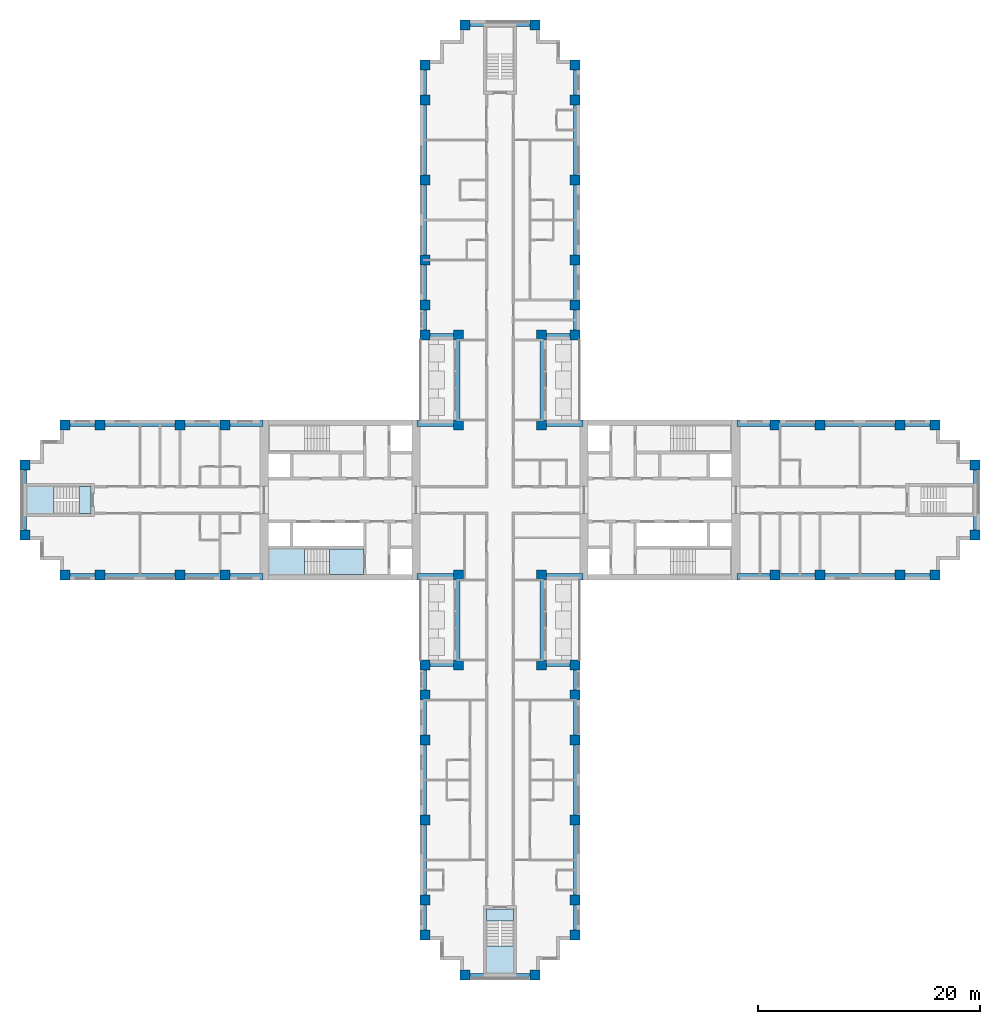
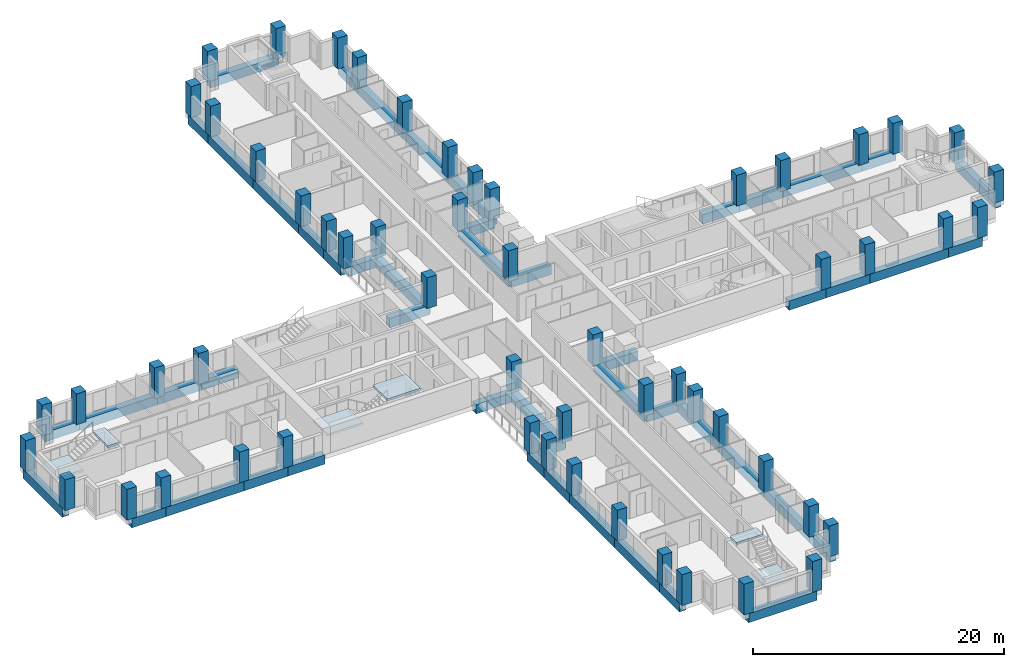
# One storey, part 1 of 15: 56 columns, 52 beams, 6 slabs, 3 elements without a shape of their own.
"""IFC4 building model written with IfcOpenShell, lengths in metres."""

from ifc_helpers import new_model, si_unit, direction, frame, origin, origin_2d, place, context, subcontext, project, spatial, polyline, rectangle, outline, extrude, material, layer, layer_set, material_profile, profile_set, type_object, element, aggregate, save


model = new_model("IFC4")

# Units and contexts
model_context = context("Model", 3, precision=1e-05, world=origin(), true_north=direction((0.0, 1.0)))
body_context = subcontext(model_context, "Body", "Model", "MODEL_VIEW")
ifc_project = project(units=[si_unit("LENGTHUNIT", "METRE"), si_unit("AREAUNIT", "SQUARE_METRE"), si_unit("VOLUMEUNIT", "CUBIC_METRE"), si_unit("PLANEANGLEUNIT", "RADIAN"), si_unit("MASSUNIT", "GRAM", prefix="KILO")], contexts=[model_context])

# Site, building, storey
site_placement = place(None, origin())
site = spatial("IfcSite", under=ifc_project, at=site_placement, CompositionType="ELEMENT")
building_placement = place(site_placement, origin())
building = spatial("IfcBuilding", under=site, at=building_placement, Name="Fustian Cross Tower", CompositionType="ELEMENT")
storey_placement = place(building_placement, frame((0.0, 0.0, 47.699951171875)))
storey = spatial("IfcBuildingStorey", under=building, at=storey_placement, Name="L14", CompositionType="ELEMENT", Elevation=47.699951171875)

# Columns
ifc_material_1 = material(Name="Concrete C70/85", Category="concrete")
ifc_material_profile_1 = material_profile(ifc_material_1, rectangle(XDim=0.89990234375, YDim=0.89990234375, at=origin_2d()), Name="RC 900x900")
ifc_profile_set_1 = profile_set([ifc_material_profile_1], Name="Concrete C70/85")
column_type = type_object("IfcColumnType", Name="COLUMN RC 900x900 C70/85", PredefinedType="COLUMN", material=ifc_profile_set_1)
for number, where, z_axis, x_axis, name in (
    (1, (-42.75, -3.14990234375, 0.0), (0.0, 0.0, 1.0), (1.0, 0.0, 0.0), "COLUMN 001"),
    (2, (-42.75, 3.14990234375, 0.0), (0.0, 0.0, 1.0), (1.0, 0.0, 0.0), "COLUMN 002"),
    (3, (-39.14990234375, -6.75, 0.0), (0.0, 0.0, 1.0), (1.0, 0.0, 0.0), "COLUMN 003"),
    (4, (-39.14990234375, 6.75, 0.0), (0.0, 0.0, 1.0), (1.0, 0.0, 0.0), "COLUMN 004"),
    (5, (-36.0, -6.75, 0.0), (0.0, 0.0, 1.0), (1.0, 0.0, 0.0), "COLUMN 005"),
    (6, (-36.0, 6.75, 0.0), (0.0, 0.0, 1.0), (1.0, 0.0, 0.0), "COLUMN 006"),
    (7, (-28.800048828125, -6.75, 0.0), (0.0, 0.0, 1.0), (1.0, 0.0, 0.0), "COLUMN 007"),
    (8, (-28.800048828125, 6.75, 0.0), (0.0, 0.0, 1.0), (1.0, 0.0, 0.0), "COLUMN 010"),
    (9, (-24.75, -6.75, 0.0), (0.0, 0.0, 1.0), (1.0, 0.0, 0.0), "COLUMN 011"),
    (10, (-24.75, 6.75, 0.0), (0.0, 0.0, 1.0), (1.0, 0.0, 0.0), "COLUMN 012"),
    (11, (-6.75, -39.14990234375, 0.0), (0.0, 0.0, 1.0), (1.0, 0.0, 0.0), "COLUMN 013"),
    (12, (-6.75, -36.0, 0.0), (0.0, 0.0, 1.0), (1.0, 0.0, 0.0), "COLUMN 014"),
    (13, (-6.75, -28.800048828125, 0.0), (0.0, 0.0, 1.0), (1.0, 0.0, 0.0), "COLUMN 015"),
    (14, (-6.75, -21.60009765625, 0.0), (0.0, 0.0, 1.0), (1.0, 0.0, 0.0), "COLUMN 016"),
    (15, (-6.75, -17.550048828125, 0.0), (0.0, 0.0, 1.0), (1.0, 0.0, 0.0), "COLUMN 017"),
    (16, (-6.75, -14.85009765625, 0.0), (0.0, 0.0, 1.0), (1.0, 0.0, 0.0), "COLUMN 018"),
    (17, (-6.75, 14.85009765625, 0.0), (0.0, 0.0, 1.0), (1.0, 0.0, 0.0), "COLUMN 019"),
    (18, (-6.75, 17.550048828125, 0.0), (0.0, 0.0, 1.0), (1.0, 0.0, 0.0), "COLUMN 020"),
    (19, (-6.75, 21.60009765625, 0.0), (0.0, 0.0, 1.0), (1.0, 0.0, 0.0), "COLUMN 021"),
    (20, (-6.75, 28.800048828125, 0.0), (0.0, 0.0, 1.0), (1.0, 0.0, 0.0), "COLUMN 022"),
    (21, (-6.75, 36.0, 0.0), (0.0, 0.0, 1.0), (1.0, 0.0, 0.0), "COLUMN 023"),
    (22, (-6.75, 39.14990234375, 0.0), (0.0, 0.0, 1.0), (1.0, 0.0, 0.0), "COLUMN 024"),
    (23, (-3.75, -14.85009765625, 0.0), (0.0, 0.0, 1.0), (1.0, 0.0, 0.0), "COLUMN 025"),
    (24, (-3.75, -6.75, 0.0), (0.0, 0.0, 1.0), (1.0, 0.0, 0.0), "COLUMN 026"),
    (25, (-3.75, 6.75, 0.0), (0.0, 0.0, 1.0), (1.0, 0.0, 0.0), "COLUMN 027"),
    (26, (-3.75, 14.85009765625, 0.0), (0.0, 0.0, 1.0), (1.0, 0.0, 0.0), "COLUMN 028"),
    (27, (-3.14990234375, -42.75, 0.0), (0.0, 0.0, 1.0), (1.0, 0.0, 0.0), "COLUMN 029"),
    (28, (-3.14990234375, 42.75, 0.0), (0.0, 0.0, 1.0), (1.0, 0.0, 0.0), "COLUMN 032"),
    (29, (3.14990234375, -42.75, 0.0), (0.0, 0.0, 1.0), (1.0, 0.0, 0.0), "COLUMN 033"),
    (30, (3.14990234375, 42.75, 0.0), (0.0, 0.0, 1.0), (1.0, 0.0, 0.0), "COLUMN 036"),
    (31, (3.75, -14.85009765625, 0.0), (0.0, 0.0, 1.0), (1.0, 0.0, 0.0), "COLUMN 037"),
    (32, (3.75, -6.75, 0.0), (0.0, 0.0, 1.0), (1.0, 0.0, 0.0), "COLUMN 038"),
    (33, (3.75, 6.75, 0.0), (0.0, 0.0, 1.0), (1.0, 0.0, 0.0), "COLUMN 039"),
    (34, (3.75, 14.85009765625, 0.0), (0.0, 0.0, 1.0), (1.0, 0.0, 0.0), "COLUMN 040"),
    (35, (6.75, -39.14990234375, 0.0), (0.0, 0.0, 1.0), (1.0, 0.0, 0.0), "COLUMN 041"),
    (36, (6.75, -36.0, 0.0), (0.0, 0.0, 1.0), (1.0, 0.0, 0.0), "COLUMN 042"),
    (37, (6.75, -28.800048828125, 0.0), (0.0, 0.0, 1.0), (1.0, 0.0, 0.0), "COLUMN 043"),
    (38, (6.75, -21.60009765625, 0.0), (0.0, 0.0, 1.0), (1.0, 0.0, 0.0), "COLUMN 044"),
    (39, (6.75, -17.550048828125, 0.0), (0.0, 0.0, 1.0), (1.0, 0.0, 0.0), "COLUMN 045"),
    (40, (6.75, -14.85009765625, 0.0), (0.0, 0.0, 1.0), (1.0, 0.0, 0.0), "COLUMN 046"),
    (41, (6.75, 14.85009765625, 0.0), (0.0, 0.0, 1.0), (1.0, 0.0, 0.0), "COLUMN 047"),
    (42, (6.75, 17.550048828125, 0.0), (0.0, 0.0, 1.0), (1.0, 0.0, 0.0), "COLUMN 048"),
    (43, (6.75, 21.60009765625, 0.0), (0.0, 0.0, 1.0), (1.0, 0.0, 0.0), "COLUMN 049"),
    (44, (6.75, 28.800048828125, 0.0), (0.0, 0.0, 1.0), (1.0, 0.0, 0.0), "COLUMN 050"),
    (45, (6.75, 36.0, 0.0), (0.0, 0.0, 1.0), (1.0, 0.0, 0.0), "COLUMN 051"),
    (46, (6.75, 39.14990234375, 0.0), (0.0, 0.0, 1.0), (1.0, 0.0, 0.0), "COLUMN 052"),
    (47, (24.75, -6.75, 0.0), (0.0, 0.0, 1.0), (1.0, 0.0, 0.0), "COLUMN 053"),
    (48, (24.75, 6.75, 0.0), (0.0, 0.0, 1.0), (1.0, 0.0, 0.0), "COLUMN 054"),
    (49, (28.800048828125, -6.75, 0.0), (0.0, 0.0, 1.0), (1.0, 0.0, 0.0), "COLUMN 055"),
    (50, (28.800048828125, 6.75, 0.0), (0.0, 0.0, 1.0), (1.0, 0.0, 0.0), "COLUMN 058"),
    (51, (36.0, -6.75, 0.0), (0.0, 0.0, 1.0), (1.0, 0.0, 0.0), "COLUMN 059"),
    (52, (36.0, 6.75, 0.0), (0.0, 0.0, 1.0), (1.0, 0.0, 0.0), "COLUMN 060"),
    (53, (39.14990234375, -6.75, 0.0), (0.0, 0.0, 1.0), (1.0, 0.0, 0.0), "COLUMN 061"),
    (54, (39.14990234375, 6.75, 0.0), (0.0, 0.0, 1.0), (1.0, 0.0, 0.0), "COLUMN 062"),
    (55, (42.75, -3.14990234375, 0.0), (0.0, 0.0, 1.0), (1.0, 0.0, 0.0), "COLUMN 063"),
    (56, (42.75, 3.14990234375, 0.0), (0.0, 0.0, 1.0), (1.0, 0.0, 0.0), "COLUMN 064"),
):
    element("IfcColumn", number, at=place(storey_placement, frame(where, z_axis=z_axis, x_axis=x_axis)), inside=storey, type_object=column_type, Name=name, PredefinedType="COLUMN", context=body_context, shape_type="SweptSolid", body=[
        extrude(rectangle(XDim=0.89990234375, YDim=0.89990234375, at=origin_2d()), origin(), (0.0, 0.0, 1.0), 3.0),
    ])

# Beams
ifc_material_2 = material(Name="Concrete C50/60", Category="concrete")
ifc_material_profile_2 = material_profile(ifc_material_2, rectangle(XDim=0.60009765625, YDim=0.89990234375, at=origin_2d()), Name="RC 600x900")
ifc_profile_set_2 = profile_set([ifc_material_profile_2], Name="Concrete C50/60")
beam_type = type_object("IfcBeamType", Name="EDGE BEAM RC 600x900 C50/60", PredefinedType="SPANDREL", material=ifc_profile_set_2)
beam_1_placement = place(storey_placement, frame((21.35009765625, -6.89990234375, -0.449951171875), z_axis=(1.0, 0.0, 0.0), x_axis=(0.0, 1.0, 0.0)))
element("IfcBeam", 57, at=beam_1_placement, inside=storey, type_object=beam_type, Name="EDGE BEAM L14-01", PredefinedType="SPANDREL", context=body_context, shape_type="SweptSolid", body=[
    extrude(rectangle(XDim=0.60009765625, YDim=0.89990234375, at=origin_2d()), origin(), (0.0, 0.0, 1.0), 3.39990234375),
])
beam_2_placement = place(storey_placement, frame((24.75, -6.89990234375, -0.449951171875), z_axis=(1.0, 0.0, 0.0), x_axis=(0.0, 1.0, 0.0)))
element("IfcBeam", 58, at=beam_2_placement, inside=storey, type_object=beam_type, Name="EDGE BEAM L14-02", PredefinedType="SPANDREL", context=body_context, shape_type="SweptSolid", body=[
    extrude(rectangle(XDim=0.60009765625, YDim=0.89990234375, at=origin_2d()), origin(), (0.0, 0.0, 1.0), 4.050048828125),
])
beam_3_placement = place(storey_placement, frame((28.800048828125, -6.89990234375, -0.449951171875), z_axis=(1.0, 0.0, 0.0), x_axis=(0.0, 1.0, 0.0)))
element("IfcBeam", 59, at=beam_3_placement, inside=storey, type_object=beam_type, Name="EDGE BEAM L14-03", PredefinedType="SPANDREL", context=body_context, shape_type="SweptSolid", body=[
    extrude(rectangle(XDim=0.60009765625, YDim=0.89990234375, at=origin_2d()), origin(), (0.0, 0.0, 1.0), 7.199951171875),
])
beam_4_placement = place(storey_placement, frame((36.0, -6.89990234375, -0.449951171875), z_axis=(1.0, 0.0, 0.0), x_axis=(0.0, 1.0, 0.0)))
element("IfcBeam", 60, at=beam_4_placement, inside=storey, type_object=beam_type, Name="EDGE BEAM L14-04", PredefinedType="SPANDREL", context=body_context, shape_type="SweptSolid", body=[
    extrude(rectangle(XDim=0.60009765625, YDim=0.89990234375, at=origin_2d()), origin(), (0.0, 0.0, 1.0), 3.14990234375),
])
beam_5_placement = place(storey_placement, frame((42.89990234375, -3.14990234375, -0.449951171875), z_axis=(0.0, 1.0, 0.0), x_axis=(-1.0, 0.0, 0.0)))
element("IfcBeam", 61, at=beam_5_placement, inside=storey, type_object=beam_type, Name="EDGE BEAM L14-05", PredefinedType="SPANDREL", context=body_context, shape_type="SweptSolid", body=[
    extrude(rectangle(XDim=0.60009765625, YDim=0.89990234375, at=origin_2d()), origin(), (0.0, 0.0, 1.0), 6.2998046875),
])
beam_6_placement = place(storey_placement, frame((39.14990234375, 6.89990234375, -0.449951171875), z_axis=(-1.0, 0.0, 0.0), x_axis=(0.0, -1.0, 0.0)))
element("IfcBeam", 62, at=beam_6_placement, inside=storey, type_object=beam_type, Name="EDGE BEAM L14-06", PredefinedType="SPANDREL", context=body_context, shape_type="SweptSolid", body=[
    extrude(rectangle(XDim=0.60009765625, YDim=0.89990234375, at=origin_2d()), origin(), (0.0, 0.0, 1.0), 3.14990234375),
])
beam_7_placement = place(storey_placement, frame((36.0, 6.89990234375, -0.449951171875), z_axis=(-1.0, 0.0, 0.0), x_axis=(0.0, -1.0, 0.0)))
element("IfcBeam", 63, at=beam_7_placement, inside=storey, type_object=beam_type, Name="EDGE BEAM L14-07", PredefinedType="SPANDREL", context=body_context, shape_type="SweptSolid", body=[
    extrude(rectangle(XDim=0.60009765625, YDim=0.89990234375, at=origin_2d()), origin(), (0.0, 0.0, 1.0), 7.199951171875),
])
beam_8_placement = place(storey_placement, frame((28.800048828125, 6.89990234375, -0.449951171875), z_axis=(-1.0, 0.0, 0.0), x_axis=(0.0, -1.0, 0.0)))
element("IfcBeam", 64, at=beam_8_placement, inside=storey, type_object=beam_type, Name="EDGE BEAM L14-08", PredefinedType="SPANDREL", context=body_context, shape_type="SweptSolid", body=[
    extrude(rectangle(XDim=0.60009765625, YDim=0.89990234375, at=origin_2d()), origin(), (0.0, 0.0, 1.0), 4.050048828125),
])
beam_9_placement = place(storey_placement, frame((24.75, 6.89990234375, -0.449951171875), z_axis=(-1.0, 0.0, 0.0), x_axis=(0.0, -1.0, 0.0)))
element("IfcBeam", 65, at=beam_9_placement, inside=storey, type_object=beam_type, Name="EDGE BEAM L14-09", PredefinedType="SPANDREL", context=body_context, shape_type="SweptSolid", body=[
    extrude(rectangle(XDim=0.60009765625, YDim=0.89990234375, at=origin_2d()), origin(), (0.0, 0.0, 1.0), 3.39990234375),
])
beam_10_placement = place(storey_placement, frame((7.449951171875, 6.89990234375, -0.449951171875), z_axis=(-1.0, 0.0, 0.0), x_axis=(0.0, -1.0, 0.0)))
element("IfcBeam", 66, at=beam_10_placement, inside=storey, type_object=beam_type, Name="EDGE BEAM L14-10", PredefinedType="SPANDREL", context=body_context, shape_type="SweptSolid", body=[
    extrude(rectangle(XDim=0.60009765625, YDim=0.89990234375, at=origin_2d()), origin(), (0.0, 0.0, 1.0), 3.699951171875),
])
beam_11_placement = place(storey_placement, frame((3.89990234375, 6.75, -0.449951171875), z_axis=(0.0, 1.0, 0.0), x_axis=(-1.0, 0.0, 0.0)))
element("IfcBeam", 67, at=beam_11_placement, inside=storey, type_object=beam_type, Name="EDGE BEAM L14-11", PredefinedType="SPANDREL", context=body_context, shape_type="SweptSolid", body=[
    extrude(rectangle(XDim=0.60009765625, YDim=0.89990234375, at=origin_2d()), origin(), (0.0, 0.0, 1.0), 8.10009765625),
])
beam_12_placement = place(storey_placement, frame((3.75, 14.699951171875, -0.449951171875), z_axis=(1.0, 0.0, 0.0), x_axis=(0.0, 1.0, 0.0)))
element("IfcBeam", 68, at=beam_12_placement, inside=storey, type_object=beam_type, Name="EDGE BEAM L14-12", PredefinedType="SPANDREL", context=body_context, shape_type="SweptSolid", body=[
    extrude(rectangle(XDim=0.60009765625, YDim=0.89990234375, at=origin_2d()), origin(), (0.0, 0.0, 1.0), 3.0),
])
beam_13_placement = place(storey_placement, frame((6.89990234375, 14.85009765625, -0.449951171875), z_axis=(0.0, 1.0, 0.0), x_axis=(-1.0, 0.0, 0.0)))
element("IfcBeam", 69, at=beam_13_placement, inside=storey, type_object=beam_type, Name="EDGE BEAM L14-13", PredefinedType="SPANDREL", context=body_context, shape_type="SweptSolid", body=[
    extrude(rectangle(XDim=0.60009765625, YDim=0.89990234375, at=origin_2d()), origin(), (0.0, 0.0, 1.0), 2.699951171875),
])
beam_14_placement = place(storey_placement, frame((6.89990234375, 17.550048828125, -0.449951171875), z_axis=(0.0, 1.0, 0.0), x_axis=(-1.0, 0.0, 0.0)))
element("IfcBeam", 70, at=beam_14_placement, inside=storey, type_object=beam_type, Name="EDGE BEAM L14-14", PredefinedType="SPANDREL", context=body_context, shape_type="SweptSolid", body=[
    extrude(rectangle(XDim=0.60009765625, YDim=0.89990234375, at=origin_2d()), origin(), (0.0, 0.0, 1.0), 4.050048828125),
])
for number, where, z_axis, x_axis, name in (
    (71, (6.89990234375, 21.60009765625, -0.449951171875), (0.0, 1.0, 0.0), (-1.0, 0.0, 0.0), "EDGE BEAM L14-15"),
    (72, (6.89990234375, 28.800048828125, -0.449951171875), (0.0, 1.0, 0.0), (-1.0, 0.0, 0.0), "EDGE BEAM L14-16"),
):
    element("IfcBeam", number, at=place(storey_placement, frame(where, z_axis=z_axis, x_axis=x_axis)), inside=storey, type_object=beam_type, Name=name, PredefinedType="SPANDREL", context=body_context, shape_type="SweptSolid", body=[
        extrude(rectangle(XDim=0.60009765625, YDim=0.89990234375, at=origin_2d()), origin(), (0.0, 0.0, 1.0), 7.199951171875),
    ])
beam_15_placement = place(storey_placement, frame((6.89990234375, 36.0, -0.449951171875), z_axis=(0.0, 1.0, 0.0), x_axis=(-1.0, 0.0, 0.0)))
element("IfcBeam", 73, at=beam_15_placement, inside=storey, type_object=beam_type, Name="EDGE BEAM L14-17", PredefinedType="SPANDREL", context=body_context, shape_type="SweptSolid", body=[
    extrude(rectangle(XDim=0.60009765625, YDim=0.89990234375, at=origin_2d()), origin(), (0.0, 0.0, 1.0), 3.14990234375),
])
beam_16_placement = place(storey_placement, frame((3.14990234375, 42.89990234375, -0.449951171875), z_axis=(-1.0, 0.0, 0.0), x_axis=(0.0, -1.0, 0.0)))
element("IfcBeam", 74, at=beam_16_placement, inside=storey, type_object=beam_type, Name="EDGE BEAM L14-18", PredefinedType="SPANDREL", context=body_context, shape_type="SweptSolid", body=[
    extrude(rectangle(XDim=0.60009765625, YDim=0.89990234375, at=origin_2d()), origin(), (0.0, 0.0, 1.0), 6.2998046875),
])
beam_17_placement = place(storey_placement, frame((-6.89990234375, 39.14990234375, -0.449951171875), z_axis=(0.0, -1.0, 0.0), x_axis=(1.0, 0.0, 0.0)))
element("IfcBeam", 75, at=beam_17_placement, inside=storey, type_object=beam_type, Name="EDGE BEAM L14-19", PredefinedType="SPANDREL", context=body_context, shape_type="SweptSolid", body=[
    extrude(rectangle(XDim=0.60009765625, YDim=0.89990234375, at=origin_2d()), origin(), (0.0, 0.0, 1.0), 3.14990234375),
])
for number, where, z_axis, x_axis, name in (
    (76, (-6.89990234375, 36.0, -0.449951171875), (0.0, -1.0, 0.0), (1.0, 0.0, 0.0), "EDGE BEAM L14-20"),
    (77, (-6.89990234375, 28.800048828125, -0.449951171875), (0.0, -1.0, 0.0), (1.0, 0.0, 0.0), "EDGE BEAM L14-21"),
):
    element("IfcBeam", number, at=place(storey_placement, frame(where, z_axis=z_axis, x_axis=x_axis)), inside=storey, type_object=beam_type, Name=name, PredefinedType="SPANDREL", context=body_context, shape_type="SweptSolid", body=[
        extrude(rectangle(XDim=0.60009765625, YDim=0.89990234375, at=origin_2d()), origin(), (0.0, 0.0, 1.0), 7.199951171875),
    ])
beam_18_placement = place(storey_placement, frame((-6.89990234375, 21.60009765625, -0.449951171875), z_axis=(0.0, -1.0, 0.0), x_axis=(1.0, 0.0, 0.0)))
element("IfcBeam", 78, at=beam_18_placement, inside=storey, type_object=beam_type, Name="EDGE BEAM L14-22", PredefinedType="SPANDREL", context=body_context, shape_type="SweptSolid", body=[
    extrude(rectangle(XDim=0.60009765625, YDim=0.89990234375, at=origin_2d()), origin(), (0.0, 0.0, 1.0), 4.050048828125),
])
beam_19_placement = place(storey_placement, frame((-6.89990234375, 17.550048828125, -0.449951171875), z_axis=(0.0, -1.0, 0.0), x_axis=(1.0, 0.0, 0.0)))
element("IfcBeam", 79, at=beam_19_placement, inside=storey, type_object=beam_type, Name="EDGE BEAM L14-23", PredefinedType="SPANDREL", context=body_context, shape_type="SweptSolid", body=[
    extrude(rectangle(XDim=0.60009765625, YDim=0.89990234375, at=origin_2d()), origin(), (0.0, 0.0, 1.0), 2.699951171875),
])
beam_20_placement = place(storey_placement, frame((-6.75, 14.699951171875, -0.449951171875), z_axis=(1.0, 0.0, 0.0), x_axis=(0.0, 1.0, 0.0)))
element("IfcBeam", 80, at=beam_20_placement, inside=storey, type_object=beam_type, Name="EDGE BEAM L14-24", PredefinedType="SPANDREL", context=body_context, shape_type="SweptSolid", body=[
    extrude(rectangle(XDim=0.60009765625, YDim=0.89990234375, at=origin_2d()), origin(), (0.0, 0.0, 1.0), 3.0),
])
beam_21_placement = place(storey_placement, frame((-3.89990234375, 14.85009765625, -0.449951171875), z_axis=(0.0, -1.0, 0.0), x_axis=(1.0, 0.0, 0.0)))
element("IfcBeam", 81, at=beam_21_placement, inside=storey, type_object=beam_type, Name="EDGE BEAM L14-25", PredefinedType="SPANDREL", context=body_context, shape_type="SweptSolid", body=[
    extrude(rectangle(XDim=0.60009765625, YDim=0.89990234375, at=origin_2d()), origin(), (0.0, 0.0, 1.0), 8.10009765625),
])
beam_22_placement = place(storey_placement, frame((-3.75, 6.89990234375, -0.449951171875), z_axis=(-1.0, 0.0, 0.0), x_axis=(0.0, -1.0, 0.0)))
element("IfcBeam", 82, at=beam_22_placement, inside=storey, type_object=beam_type, Name="EDGE BEAM L14-26", PredefinedType="SPANDREL", context=body_context, shape_type="SweptSolid", body=[
    extrude(rectangle(XDim=0.60009765625, YDim=0.89990234375, at=origin_2d()), origin(), (0.0, 0.0, 1.0), 3.699951171875),
])
beam_23_placement = place(storey_placement, frame((-21.35009765625, 6.89990234375, -0.449951171875), z_axis=(-1.0, 0.0, 0.0), x_axis=(0.0, -1.0, 0.0)))
element("IfcBeam", 83, at=beam_23_placement, inside=storey, type_object=beam_type, Name="EDGE BEAM L14-27", PredefinedType="SPANDREL", context=body_context, shape_type="SweptSolid", body=[
    extrude(rectangle(XDim=0.60009765625, YDim=0.89990234375, at=origin_2d()), origin(), (0.0, 0.0, 1.0), 3.39990234375),
])
beam_24_placement = place(storey_placement, frame((-24.75, 6.89990234375, -0.449951171875), z_axis=(-1.0, 0.0, 0.0), x_axis=(0.0, -1.0, 0.0)))
element("IfcBeam", 84, at=beam_24_placement, inside=storey, type_object=beam_type, Name="EDGE BEAM L14-28", PredefinedType="SPANDREL", context=body_context, shape_type="SweptSolid", body=[
    extrude(rectangle(XDim=0.60009765625, YDim=0.89990234375, at=origin_2d()), origin(), (0.0, 0.0, 1.0), 4.050048828125),
])
beam_25_placement = place(storey_placement, frame((-28.800048828125, 6.89990234375, -0.449951171875), z_axis=(-1.0, 0.0, 0.0), x_axis=(0.0, -1.0, 0.0)))
element("IfcBeam", 85, at=beam_25_placement, inside=storey, type_object=beam_type, Name="EDGE BEAM L14-29", PredefinedType="SPANDREL", context=body_context, shape_type="SweptSolid", body=[
    extrude(rectangle(XDim=0.60009765625, YDim=0.89990234375, at=origin_2d()), origin(), (0.0, 0.0, 1.0), 7.199951171875),
])
beam_26_placement = place(storey_placement, frame((-36.0, 6.89990234375, -0.449951171875), z_axis=(-1.0, 0.0, 0.0), x_axis=(0.0, -1.0, 0.0)))
element("IfcBeam", 86, at=beam_26_placement, inside=storey, type_object=beam_type, Name="EDGE BEAM L14-30", PredefinedType="SPANDREL", context=body_context, shape_type="SweptSolid", body=[
    extrude(rectangle(XDim=0.60009765625, YDim=0.89990234375, at=origin_2d()), origin(), (0.0, 0.0, 1.0), 3.14990234375),
])
beam_27_placement = place(storey_placement, frame((-42.89990234375, 3.14990234375, -0.449951171875), z_axis=(0.0, -1.0, 0.0), x_axis=(1.0, 0.0, 0.0)))
element("IfcBeam", 87, at=beam_27_placement, inside=storey, type_object=beam_type, Name="EDGE BEAM L14-31", PredefinedType="SPANDREL", context=body_context, shape_type="SweptSolid", body=[
    extrude(rectangle(XDim=0.60009765625, YDim=0.89990234375, at=origin_2d()), origin(), (0.0, 0.0, 1.0), 6.2998046875),
])
beam_28_placement = place(storey_placement, frame((-39.14990234375, -6.89990234375, -0.449951171875), z_axis=(1.0, 0.0, 0.0), x_axis=(0.0, 1.0, 0.0)))
element("IfcBeam", 88, at=beam_28_placement, inside=storey, type_object=beam_type, Name="EDGE BEAM L14-32", PredefinedType="SPANDREL", context=body_context, shape_type="SweptSolid", body=[
    extrude(rectangle(XDim=0.60009765625, YDim=0.89990234375, at=origin_2d()), origin(), (0.0, 0.0, 1.0), 3.14990234375),
])
beam_29_placement = place(storey_placement, frame((-36.0, -6.89990234375, -0.449951171875), z_axis=(1.0, 0.0, 0.0), x_axis=(0.0, 1.0, 0.0)))
element("IfcBeam", 89, at=beam_29_placement, inside=storey, type_object=beam_type, Name="EDGE BEAM L14-33", PredefinedType="SPANDREL", context=body_context, shape_type="SweptSolid", body=[
    extrude(rectangle(XDim=0.60009765625, YDim=0.89990234375, at=origin_2d()), origin(), (0.0, 0.0, 1.0), 7.199951171875),
])
beam_30_placement = place(storey_placement, frame((-28.800048828125, -6.89990234375, -0.449951171875), z_axis=(1.0, 0.0, 0.0), x_axis=(0.0, 1.0, 0.0)))
element("IfcBeam", 90, at=beam_30_placement, inside=storey, type_object=beam_type, Name="EDGE BEAM L14-34", PredefinedType="SPANDREL", context=body_context, shape_type="SweptSolid", body=[
    extrude(rectangle(XDim=0.60009765625, YDim=0.89990234375, at=origin_2d()), origin(), (0.0, 0.0, 1.0), 4.050048828125),
])
beam_31_placement = place(storey_placement, frame((-24.75, -6.89990234375, -0.449951171875), z_axis=(1.0, 0.0, 0.0), x_axis=(0.0, 1.0, 0.0)))
element("IfcBeam", 91, at=beam_31_placement, inside=storey, type_object=beam_type, Name="EDGE BEAM L14-35", PredefinedType="SPANDREL", context=body_context, shape_type="SweptSolid", body=[
    extrude(rectangle(XDim=0.60009765625, YDim=0.89990234375, at=origin_2d()), origin(), (0.0, 0.0, 1.0), 3.39990234375),
])
beam_32_placement = place(storey_placement, frame((-7.449951171875, -6.89990234375, -0.449951171875), z_axis=(1.0, 0.0, 0.0), x_axis=(0.0, 1.0, 0.0)))
element("IfcBeam", 92, at=beam_32_placement, inside=storey, type_object=beam_type, Name="EDGE BEAM L14-36", PredefinedType="SPANDREL", context=body_context, shape_type="SweptSolid", body=[
    extrude(rectangle(XDim=0.60009765625, YDim=0.89990234375, at=origin_2d()), origin(), (0.0, 0.0, 1.0), 3.699951171875),
])
beam_33_placement = place(storey_placement, frame((-3.89990234375, -6.75, -0.449951171875), z_axis=(0.0, -1.0, 0.0), x_axis=(1.0, 0.0, 0.0)))
element("IfcBeam", 93, at=beam_33_placement, inside=storey, type_object=beam_type, Name="EDGE BEAM L14-37", PredefinedType="SPANDREL", context=body_context, shape_type="SweptSolid", body=[
    extrude(rectangle(XDim=0.60009765625, YDim=0.89990234375, at=origin_2d()), origin(), (0.0, 0.0, 1.0), 8.10009765625),
])
beam_34_placement = place(storey_placement, frame((-3.75, -14.699951171875, -0.449951171875), z_axis=(-1.0, 0.0, 0.0), x_axis=(0.0, -1.0, 0.0)))
element("IfcBeam", 94, at=beam_34_placement, inside=storey, type_object=beam_type, Name="EDGE BEAM L14-38", PredefinedType="SPANDREL", context=body_context, shape_type="SweptSolid", body=[
    extrude(rectangle(XDim=0.60009765625, YDim=0.89990234375, at=origin_2d()), origin(), (0.0, 0.0, 1.0), 3.0),
])
beam_35_placement = place(storey_placement, frame((-6.89990234375, -14.85009765625, -0.449951171875), z_axis=(0.0, -1.0, 0.0), x_axis=(1.0, 0.0, 0.0)))
element("IfcBeam", 95, at=beam_35_placement, inside=storey, type_object=beam_type, Name="EDGE BEAM L14-39", PredefinedType="SPANDREL", context=body_context, shape_type="SweptSolid", body=[
    extrude(rectangle(XDim=0.60009765625, YDim=0.89990234375, at=origin_2d()), origin(), (0.0, 0.0, 1.0), 2.699951171875),
])
beam_36_placement = place(storey_placement, frame((-6.89990234375, -17.550048828125, -0.449951171875), z_axis=(0.0, -1.0, 0.0), x_axis=(1.0, 0.0, 0.0)))
element("IfcBeam", 96, at=beam_36_placement, inside=storey, type_object=beam_type, Name="EDGE BEAM L14-40", PredefinedType="SPANDREL", context=body_context, shape_type="SweptSolid", body=[
    extrude(rectangle(XDim=0.60009765625, YDim=0.89990234375, at=origin_2d()), origin(), (0.0, 0.0, 1.0), 4.050048828125),
])
for number, where, z_axis, x_axis, name in (
    (97, (-6.89990234375, -21.60009765625, -0.449951171875), (0.0, -1.0, 0.0), (1.0, 0.0, 0.0), "EDGE BEAM L14-41"),
    (98, (-6.89990234375, -28.800048828125, -0.449951171875), (0.0, -1.0, 0.0), (1.0, 0.0, 0.0), "EDGE BEAM L14-42"),
):
    element("IfcBeam", number, at=place(storey_placement, frame(where, z_axis=z_axis, x_axis=x_axis)), inside=storey, type_object=beam_type, Name=name, PredefinedType="SPANDREL", context=body_context, shape_type="SweptSolid", body=[
        extrude(rectangle(XDim=0.60009765625, YDim=0.89990234375, at=origin_2d()), origin(), (0.0, 0.0, 1.0), 7.199951171875),
    ])
beam_37_placement = place(storey_placement, frame((-6.89990234375, -36.0, -0.449951171875), z_axis=(0.0, -1.0, 0.0), x_axis=(1.0, 0.0, 0.0)))
element("IfcBeam", 99, at=beam_37_placement, inside=storey, type_object=beam_type, Name="EDGE BEAM L14-43", PredefinedType="SPANDREL", context=body_context, shape_type="SweptSolid", body=[
    extrude(rectangle(XDim=0.60009765625, YDim=0.89990234375, at=origin_2d()), origin(), (0.0, 0.0, 1.0), 3.14990234375),
])
beam_38_placement = place(storey_placement, frame((-3.14990234375, -42.89990234375, -0.449951171875), z_axis=(1.0, 0.0, 0.0), x_axis=(0.0, 1.0, 0.0)))
element("IfcBeam", 100, at=beam_38_placement, inside=storey, type_object=beam_type, Name="EDGE BEAM L14-44", PredefinedType="SPANDREL", context=body_context, shape_type="SweptSolid", body=[
    extrude(rectangle(XDim=0.60009765625, YDim=0.89990234375, at=origin_2d()), origin(), (0.0, 0.0, 1.0), 6.2998046875),
])
beam_39_placement = place(storey_placement, frame((6.89990234375, -39.14990234375, -0.449951171875), z_axis=(0.0, 1.0, 0.0), x_axis=(-1.0, 0.0, 0.0)))
element("IfcBeam", 101, at=beam_39_placement, inside=storey, type_object=beam_type, Name="EDGE BEAM L14-45", PredefinedType="SPANDREL", context=body_context, shape_type="SweptSolid", body=[
    extrude(rectangle(XDim=0.60009765625, YDim=0.89990234375, at=origin_2d()), origin(), (0.0, 0.0, 1.0), 3.14990234375),
])
for number, where, z_axis, x_axis, name in (
    (102, (6.89990234375, -36.0, -0.449951171875), (0.0, 1.0, 0.0), (-1.0, 0.0, 0.0), "EDGE BEAM L14-46"),
    (103, (6.89990234375, -28.800048828125, -0.449951171875), (0.0, 1.0, 0.0), (-1.0, 0.0, 0.0), "EDGE BEAM L14-47"),
):
    element("IfcBeam", number, at=place(storey_placement, frame(where, z_axis=z_axis, x_axis=x_axis)), inside=storey, type_object=beam_type, Name=name, PredefinedType="SPANDREL", context=body_context, shape_type="SweptSolid", body=[
        extrude(rectangle(XDim=0.60009765625, YDim=0.89990234375, at=origin_2d()), origin(), (0.0, 0.0, 1.0), 7.199951171875),
    ])
beam_40_placement = place(storey_placement, frame((6.89990234375, -21.60009765625, -0.449951171875), z_axis=(0.0, 1.0, 0.0), x_axis=(-1.0, 0.0, 0.0)))
element("IfcBeam", 104, at=beam_40_placement, inside=storey, type_object=beam_type, Name="EDGE BEAM L14-48", PredefinedType="SPANDREL", context=body_context, shape_type="SweptSolid", body=[
    extrude(rectangle(XDim=0.60009765625, YDim=0.89990234375, at=origin_2d()), origin(), (0.0, 0.0, 1.0), 4.050048828125),
])
beam_41_placement = place(storey_placement, frame((6.89990234375, -17.550048828125, -0.449951171875), z_axis=(0.0, 1.0, 0.0), x_axis=(-1.0, 0.0, 0.0)))
element("IfcBeam", 105, at=beam_41_placement, inside=storey, type_object=beam_type, Name="EDGE BEAM L14-49", PredefinedType="SPANDREL", context=body_context, shape_type="SweptSolid", body=[
    extrude(rectangle(XDim=0.60009765625, YDim=0.89990234375, at=origin_2d()), origin(), (0.0, 0.0, 1.0), 2.699951171875),
])
beam_42_placement = place(storey_placement, frame((6.75, -14.699951171875, -0.449951171875), z_axis=(-1.0, 0.0, 0.0), x_axis=(0.0, -1.0, 0.0)))
element("IfcBeam", 106, at=beam_42_placement, inside=storey, type_object=beam_type, Name="EDGE BEAM L14-50", PredefinedType="SPANDREL", context=body_context, shape_type="SweptSolid", body=[
    extrude(rectangle(XDim=0.60009765625, YDim=0.89990234375, at=origin_2d()), origin(), (0.0, 0.0, 1.0), 3.0),
])
beam_43_placement = place(storey_placement, frame((3.89990234375, -14.85009765625, -0.449951171875), z_axis=(0.0, 1.0, 0.0), x_axis=(-1.0, 0.0, 0.0)))
element("IfcBeam", 107, at=beam_43_placement, inside=storey, type_object=beam_type, Name="EDGE BEAM L14-51", PredefinedType="SPANDREL", context=body_context, shape_type="SweptSolid", body=[
    extrude(rectangle(XDim=0.60009765625, YDim=0.89990234375, at=origin_2d()), origin(), (0.0, 0.0, 1.0), 8.10009765625),
])
beam_44_placement = place(storey_placement, frame((3.75, -6.89990234375, -0.449951171875), z_axis=(1.0, 0.0, 0.0), x_axis=(0.0, 1.0, 0.0)))
element("IfcBeam", 108, at=beam_44_placement, inside=storey, type_object=beam_type, Name="EDGE BEAM L14-52", PredefinedType="SPANDREL", context=body_context, shape_type="SweptSolid", body=[
    extrude(rectangle(XDim=0.60009765625, YDim=0.89990234375, at=origin_2d()), origin(), (0.0, 0.0, 1.0), 3.699951171875),
])

# Stair, slabs
ifc_material_3 = material(Name="Concrete C50/60", Category="concrete")
stair_type_1 = type_object("IfcStairType", Name="STAIR 1150 HALF TURN", PredefinedType="HALF_TURN_STAIR", material=ifc_material_3)
stair_1_placement = place(storey_placement, origin())
stair_1 = element("IfcStair", 109, at=stair_1_placement, inside=storey, type_object=stair_type_1, Name="Stair ST4", PredefinedType="HALF_TURN_STAIR")
ifc_material_4 = material(Name="Concrete C50/60", Category="concrete")
ifc_layer = layer(ifc_material_4, 0.199951171875)
ifc_layer_set = layer_set([ifc_layer], Name="Concrete C50/60")
slab_type = type_object("IfcSlabType", Name="STAIR LANDING", PredefinedType="LANDING", material=ifc_layer_set)
slab_1_placement = place(storey_placement, frame((0.0, 0.0, 1.300048828125)))
slab_1 = element("IfcSlab", 110, at=slab_1_placement, type_object=slab_type, Name="ST4 landing 1", PredefinedType="LANDING", context=body_context, shape_type="SweptSolid", body=[
    extrude(outline(polyline([(-17.590087890625, -4.39990234375), (-20.85009765625, -4.39990234375), (-20.85009765625, -6.699951171875), (-17.590087890625, -6.699951171875), (-17.590087890625, -4.39990234375)])), origin(), (0.0, 0.0, 1.0), 0.199951171875),
])
slab_2_placement = place(storey_placement, frame((0.0, 0.0, 2.800048828125)))
slab_2 = element("IfcSlab", 111, at=slab_2_placement, type_object=slab_type, Name="ST4 landing 2", PredefinedType="LANDING", context=body_context, shape_type="SweptSolid", body=[
    extrude(outline(polyline([(-12.300048828125, -4.39990234375), (-15.35009765625, -4.39990234375), (-15.35009765625, -6.699951171875), (-12.300048828125, -6.699951171875), (-12.300048828125, -4.39990234375)])), origin(), (0.0, 0.0, 1.0), 0.199951171875),
])
aggregate(stair_1, [slab_1, slab_2])

ifc_material_5 = material(Name="Concrete C50/60", Category="concrete")
stair_type_2 = type_object("IfcStairType", Name="STAIR 1100 HALF TURN", PredefinedType="HALF_TURN_STAIR", material=ifc_material_5)
stair_2_placement = place(storey_placement, origin())
stair_2 = element("IfcStair", 112, at=stair_2_placement, inside=storey, type_object=stair_type_2, Name="Stair ST6", PredefinedType="HALF_TURN_STAIR")
slab_3_placement = place(storey_placement, frame((0.0, 0.0, 1.300048828125)))
slab_3 = element("IfcSlab", 113, at=slab_3_placement, type_object=slab_type, Name="ST6 landing 1", PredefinedType="LANDING", context=body_context, shape_type="SweptSolid", body=[
    extrude(outline(polyline([(-1.199951171875, -40.139892578125), (-1.199951171875, -42.60009765625), (1.199951171875, -42.60009765625), (1.199951171875, -40.139892578125), (-1.199951171875, -40.139892578125)])), origin(), (0.0, 0.0, 1.0), 0.199951171875),
])
slab_4_placement = place(storey_placement, frame((0.0, 0.0, 2.800048828125)))
slab_4 = element("IfcSlab", 114, at=slab_4_placement, type_object=slab_type, Name="ST6 landing 2", PredefinedType="LANDING", context=body_context, shape_type="SweptSolid", body=[
    extrude(outline(polyline([(-1.199951171875, -36.800048828125), (-1.199951171875, -37.89990234375), (1.199951171875, -37.89990234375), (1.199951171875, -36.800048828125), (-1.199951171875, -36.800048828125)])), origin(), (0.0, 0.0, 1.0), 0.199951171875),
])
aggregate(stair_2, [slab_3, slab_4])

stair_3_placement = place(storey_placement, origin())
stair_3 = element("IfcStair", 115, at=stair_3_placement, inside=storey, type_object=stair_type_2, Name="Stair ST9", PredefinedType="HALF_TURN_STAIR")
slab_5_placement = place(storey_placement, frame((0.0, 0.0, 1.300048828125)))
slab_5 = element("IfcSlab", 116, at=slab_5_placement, type_object=slab_type, Name="ST9 landing 1", PredefinedType="LANDING", context=body_context, shape_type="SweptSolid", body=[
    extrude(outline(polyline([(-40.139892578125, -1.199951171875), (-42.60009765625, -1.199951171875), (-42.60009765625, 1.199951171875), (-40.139892578125, 1.199951171875), (-40.139892578125, -1.199951171875)])), origin(), (0.0, 0.0, 1.0), 0.199951171875),
])
slab_6_placement = place(storey_placement, frame((0.0, 0.0, 2.800048828125)))
slab_6 = element("IfcSlab", 117, at=slab_6_placement, type_object=slab_type, Name="ST9 landing 2", PredefinedType="LANDING", context=body_context, shape_type="SweptSolid", body=[
    extrude(outline(polyline([(-36.800048828125, -1.199951171875), (-37.89990234375, -1.199951171875), (-37.89990234375, 1.199951171875), (-36.800048828125, 1.199951171875), (-36.800048828125, -1.199951171875)])), origin(), (0.0, 0.0, 1.0), 0.199951171875),
])
aggregate(stair_3, [slab_5, slab_6])

save(model, "model.ifc")
